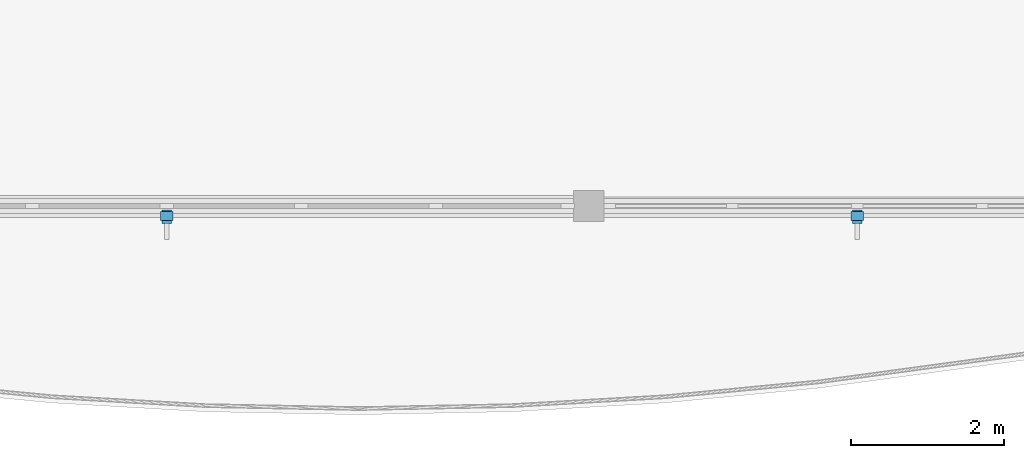
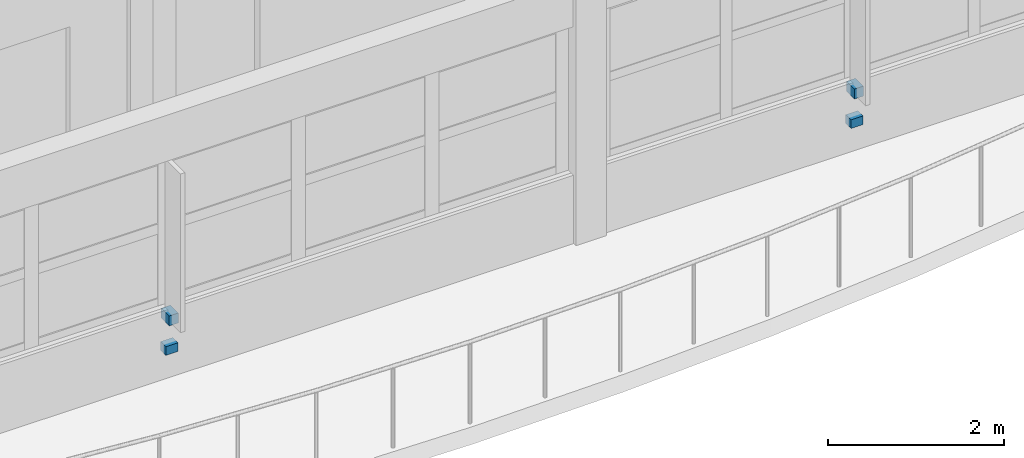
# One storey, part 38 of 52: 4 discrete accessories.
"""IFC4 building model written with IfcOpenShell, lengths in metres."""

from ifc_helpers import new_model, si_unit, direction, frame, origin, origin_2d, place, context, subcontext, project, spatial, rectangle, extrude, material, type_object, element, save


model = new_model("IFC4")

# Units and contexts
model_context = context("Model", 3, precision=1e-05, world=origin(), true_north=direction((0.0, 1.0)))
body_context = subcontext(model_context, "Body", "Model", "MODEL_VIEW")
ifc_project = project(units=[si_unit("LENGTHUNIT", "METRE"), si_unit("AREAUNIT", "SQUARE_METRE"), si_unit("VOLUMEUNIT", "CUBIC_METRE"), si_unit("PLANEANGLEUNIT", "RADIAN"), si_unit("MASSUNIT", "GRAM", prefix="KILO")], contexts=[model_context])

# Site, building, storey
site_placement = place(None, origin())
site = spatial("IfcSite", under=ifc_project, at=site_placement, CompositionType="ELEMENT")
building_placement = place(site_placement, origin())
building = spatial("IfcBuilding", under=site, at=building_placement, Name="Tonlespit Floodbar School", CompositionType="ELEMENT")
storey_placement = place(building_placement, frame((0.0, 0.0, 12.300048828125)))
storey = spatial("IfcBuildingStorey", under=building, at=storey_placement, Name="L03", CompositionType="ELEMENT", Elevation=12.300048828125)

# Discrete accessories
ifc_material = material(Name="Galvanised Steel", Category="steel")
discrete_accessory_type = type_object("IfcDiscreteAccessoryType", Name="Bracket_Facade_S355", PredefinedType="BRACKET", material=ifc_material)
discrete_accessory_1_placement = place(storey_placement, frame((130.5, 103.8701171875, 0.35498046875), z_axis=(0.0, 0.0, 1.0), x_axis=(-1.0, 0.0, 0.0)))
element("IfcDiscreteAccessory", 1, at=discrete_accessory_1_placement, inside=storey, type_object=discrete_accessory_type, Name="L03 white band support bracket 0724", PredefinedType="BRACKET", context=body_context, shape_type="SweptSolid", body=[
    extrude(rectangle(XDim=0.159912109375, YDim=0.1201171875, at=origin_2d()), origin(), (0.0, 0.0, 1.0), 0.1201171875),
])
discrete_accessory_2_placement = place(storey_placement, frame((130.5, 103.860107421875, 0.77978515625), z_axis=(0.0, 0.0, 1.0), x_axis=(-1.0, 0.0, 0.0)))
element("IfcDiscreteAccessory", 2, at=discrete_accessory_2_placement, inside=storey, type_object=discrete_accessory_type, Name="Solar fin support bracket 323", PredefinedType="BRACKET", context=body_context, shape_type="SweptSolid", body=[
    extrude(rectangle(XDim=0.1201171875, YDim=0.179931640625, at=origin_2d()), origin(), (0.0, 0.0, 1.0), 0.139892578125),
])
discrete_accessory_3_placement = place(storey_placement, frame((121.5, 103.8701171875, 0.35498046875), z_axis=(0.0, 0.0, 1.0), x_axis=(-1.0, 0.0, 0.0)))
element("IfcDiscreteAccessory", 3, at=discrete_accessory_3_placement, inside=storey, type_object=discrete_accessory_type, Name="L03 white band support bracket 0725", PredefinedType="BRACKET", context=body_context, shape_type="SweptSolid", body=[
    extrude(rectangle(XDim=0.159912109375, YDim=0.1201171875, at=origin_2d()), origin(), (0.0, 0.0, 1.0), 0.1201171875),
])
discrete_accessory_4_placement = place(storey_placement, frame((121.5, 103.860107421875, 0.77978515625), z_axis=(0.0, 0.0, 1.0), x_axis=(-1.0, 0.0, 0.0)))
element("IfcDiscreteAccessory", 4, at=discrete_accessory_4_placement, inside=storey, type_object=discrete_accessory_type, Name="Solar fin support bracket 324", PredefinedType="BRACKET", context=body_context, shape_type="SweptSolid", body=[
    extrude(rectangle(XDim=0.1201171875, YDim=0.179931640625, at=origin_2d()), origin(), (0.0, 0.0, 1.0), 0.139892578125),
])

save(model, "model.ifc")
